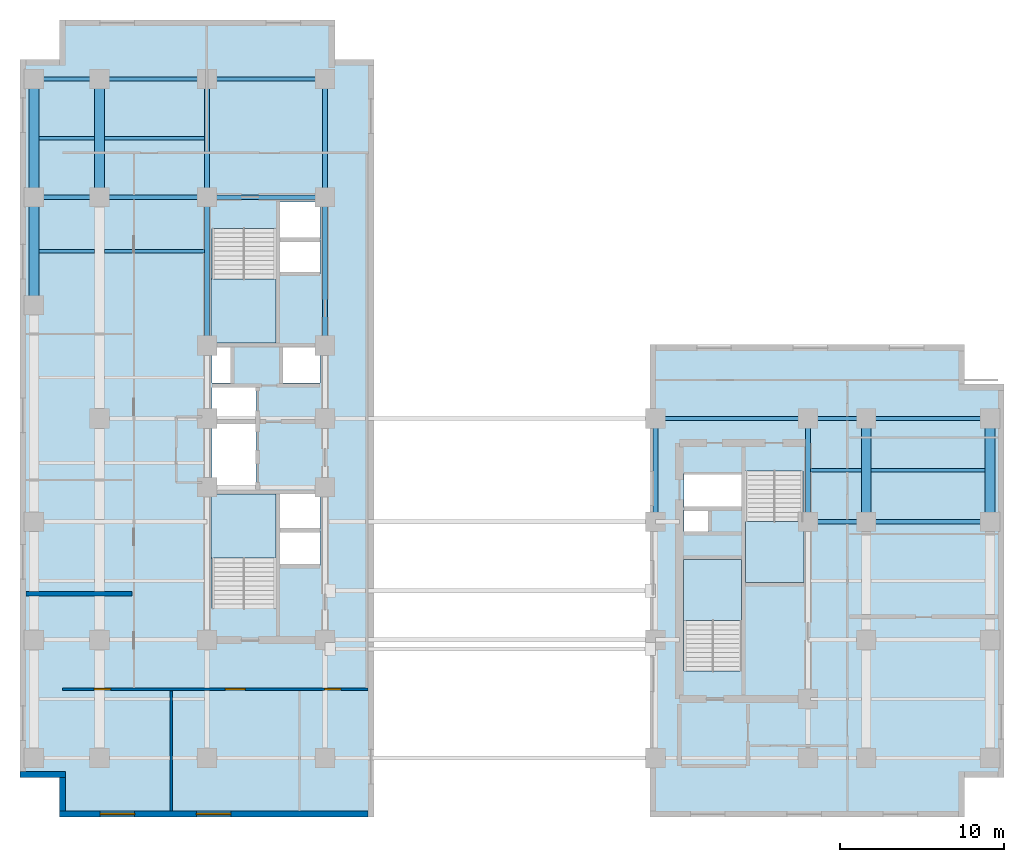
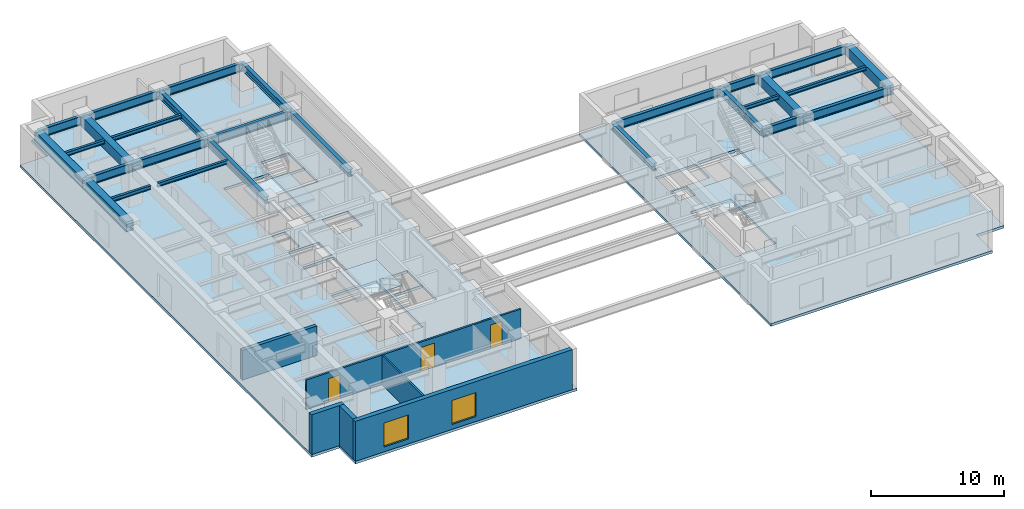
# One storey, part 2 of 8: 28 beams, 6 slabs, 6 walls, 3 doors, 2 windows, 5 openings, 4 elements without a shape of their own.
"""IFC4 building model written with IfcOpenShell, lengths in metres."""

from ifc_helpers import new_model, entity, si_unit, converted_unit, direction, frame, origin_with_axes, origin_2d_with_axis, place, context, subcontext, project, spatial, polyline, rectangle, i_section, outline, extrude, material, layer, layer_set, material_profile, profile_set, type_object, element, fill, aggregate, save


model = new_model("IFC4")

# Units and contexts
model_context = context("Model", 3, precision=1e-05, world=origin_with_axes(), true_north=direction((0.0, 1.0)))
body_context = subcontext(model_context, "Body", "Model", "MODEL_VIEW")
ifc_project = project(units=[si_unit("LENGTHUNIT", "METRE"), si_unit("AREAUNIT", "SQUARE_METRE"), si_unit("VOLUMEUNIT", "CUBIC_METRE"), converted_unit("PLANEANGLEUNIT", "DEGREE", entity("IfcPlaneAngleMeasure", 0.017453292519943295), si_unit("PLANEANGLEUNIT", "RADIAN"), dimensions=[0, 0, 0, 0, 0, 0, 0]), si_unit("MASSUNIT", "GRAM", prefix="KILO"), si_unit("THERMODYNAMICTEMPERATUREUNIT", "KELVIN")], contexts=[model_context])

# Site, building, storey
site_placement = place(None, origin_with_axes())
site = spatial("IfcSite", under=ifc_project, at=site_placement, CompositionType="ELEMENT")
building_placement = place(site_placement, origin_with_axes())
building = spatial("IfcBuilding", under=site, at=building_placement, Name="Varnlund Millrace Tower", CompositionType="ELEMENT")
storey_placement = place(building_placement, frame((0.0, 0.0, 100.8), z_axis=(0.0, 0.0, 1.0), x_axis=(1.0, 0.0, 0.0)))
storey = spatial("IfcBuildingStorey", under=building, at=storey_placement, Name="L24", CompositionType="ELEMENT", Elevation=100.8)

# Beams
ifc_material_1 = material(Name="Steel ASTM A992 Grade 50", Category="steel")
ifc_material_profile_1 = material_profile(ifc_material_1, i_section(OverallWidth=0.328, OverallDepth=0.628, WebThickness=0.0165, FlangeThickness=0.0277, FilletRadius=0.018, at=origin_2d_with_axis()), Name="Steel ASTM A992 Grade 50")
ifc_profile_set_1 = profile_set([ifc_material_profile_1], Name="Steel ASTM A992 Grade 50")
beam_type_1 = type_object("IfcBeamType", Name="Type-Girder-W24X146", PredefinedType="USERDEFINED", material=ifc_profile_set_1)
beam_1_placement = place(storey_placement, frame((11.4, 28.75, 3.346), z_axis=(0.0, 1.0, 0.0), x_axis=(-1.0, 0.0, 0.0)))
element("IfcBeam", 1, at=beam_1_placement, inside=storey, type_object=beam_type_1, Name="Type-Girder-W24X146", ObjectType="GIRDER", PredefinedType="USERDEFINED", context=body_context, shape_type="SweptSolid", body=[
    extrude(i_section(OverallWidth=0.328, OverallDepth=0.628, WebThickness=0.0165, FlangeThickness=0.0277, FilletRadius=0.018, at=origin_2d_with_axis()), origin_with_axes(), (0.0, 0.0, 1.0), 9.05),
])
beam_2_placement = place(storey_placement, frame((11.4, 37.8, 3.346), z_axis=(0.0, 1.0, 0.0), x_axis=(-1.0, 0.0, 0.0)))
element("IfcBeam", 2, at=beam_2_placement, inside=storey, type_object=beam_type_1, Name="Type-Girder-W24X146", ObjectType="GIRDER", PredefinedType="USERDEFINED", context=body_context, shape_type="SweptSolid", body=[
    extrude(i_section(OverallWidth=0.328, OverallDepth=0.628, WebThickness=0.0165, FlangeThickness=0.0277, FilletRadius=0.018, at=origin_2d_with_axis()), origin_with_axes(), (0.0, 0.0, 1.0), 7.2),
])
beam_3_placement = place(storey_placement, frame((18.6, 28.75, 3.346), z_axis=(0.0, 1.0, 0.0), x_axis=(-1.0, 0.0, 0.0)))
element("IfcBeam", 3, at=beam_3_placement, inside=storey, type_object=beam_type_1, Name="Type-Girder-W24X146", ObjectType="GIRDER", PredefinedType="USERDEFINED", context=body_context, shape_type="SweptSolid", body=[
    extrude(i_section(OverallWidth=0.328, OverallDepth=0.628, WebThickness=0.0165, FlangeThickness=0.0277, FilletRadius=0.018, at=origin_2d_with_axis()), origin_with_axes(), (0.0, 0.0, 1.0), 9.05),
])
beam_4_placement = place(storey_placement, frame((18.6, 37.8, 3.346), z_axis=(0.0, 1.0, 0.0), x_axis=(-1.0, 0.0, 0.0)))
element("IfcBeam", 4, at=beam_4_placement, inside=storey, type_object=beam_type_1, Name="Type-Girder-W24X146", ObjectType="GIRDER", PredefinedType="USERDEFINED", context=body_context, shape_type="SweptSolid", body=[
    extrude(i_section(OverallWidth=0.328, OverallDepth=0.628, WebThickness=0.0165, FlangeThickness=0.0277, FilletRadius=0.018, at=origin_2d_with_axis()), origin_with_axes(), (0.0, 0.0, 1.0), 7.2),
])
for number, where, z_axis, x_axis, name in (
    (5, (38.75, 18.0, 3.346), (0.0, 1.0, 0.0), (-1.0, 0.0, 0.0), "Type-Girder-W24X146"),
    (6, (48.05, 18.0, 3.346), (0.0, 1.0, 0.0), (-1.0, 0.0, 0.0), "Type-Girder-W24X146"),
):
    element("IfcBeam", number, at=place(storey_placement, frame(where, z_axis=z_axis, x_axis=x_axis)), inside=storey, type_object=beam_type_1, Name=name, ObjectType="GIRDER", PredefinedType="USERDEFINED", context=body_context, shape_type="SweptSolid", body=[
        extrude(i_section(OverallWidth=0.328, OverallDepth=0.628, WebThickness=0.0165, FlangeThickness=0.0277, FilletRadius=0.018, at=origin_2d_with_axis()), origin_with_axes(), (0.0, 0.0, 1.0), 6.3),
    ])
ifc_material_profile_2 = material_profile(ifc_material_1, i_section(OverallWidth=0.266, OverallDepth=0.779, WebThickness=0.0165, FlangeThickness=0.03, FilletRadius=0.02, at=origin_2d_with_axis()), Name="Steel ASTM A992 Grade 50")
ifc_profile_set_2 = profile_set([ifc_material_profile_2], Name="Steel ASTM A992 Grade 50")
beam_type_2 = type_object("IfcBeamType", Name="Type-Girder-W30X148", PredefinedType="USERDEFINED", material=ifc_profile_set_2)
beam_5_placement = place(storey_placement, frame((48.05, 18.0, 3.2705), z_axis=(1.0, 0.0, 0.0), x_axis=(0.0, 1.0, 0.0)))
element("IfcBeam", 7, at=beam_5_placement, inside=storey, type_object=beam_type_2, Name="Type-Girder-W30X148", ObjectType="GIRDER", PredefinedType="USERDEFINED", context=body_context, shape_type="SweptSolid", body=[
    extrude(i_section(OverallWidth=0.266, OverallDepth=0.779, WebThickness=0.0165, FlangeThickness=0.03, FilletRadius=0.02, at=origin_2d_with_axis()), origin_with_axes(), (0.0, 0.0, 1.0), 3.55),
])
beam_6_placement = place(storey_placement, frame((51.6, 18.0, 3.2705), z_axis=(1.0, 0.0, 0.0), x_axis=(0.0, 1.0, 0.0)))
element("IfcBeam", 8, at=beam_6_placement, inside=storey, type_object=beam_type_2, Name="Type-Girder-W30X148", ObjectType="GIRDER", PredefinedType="USERDEFINED", context=body_context, shape_type="SweptSolid", body=[
    extrude(i_section(OverallWidth=0.266, OverallDepth=0.779, WebThickness=0.0165, FlangeThickness=0.03, FilletRadius=0.02, at=origin_2d_with_axis()), origin_with_axes(), (0.0, 0.0, 1.0), 7.55),
])
beam_7_placement = place(storey_placement, frame((38.75, 24.3, 3.2705), z_axis=(1.0, 0.0, 0.0), x_axis=(0.0, 1.0, 0.0)))
element("IfcBeam", 9, at=beam_7_placement, inside=storey, type_object=beam_type_2, Name="Type-Girder-W30X148", ObjectType="GIRDER", PredefinedType="USERDEFINED", context=body_context, shape_type="SweptSolid", body=[
    extrude(i_section(OverallWidth=0.266, OverallDepth=0.779, WebThickness=0.0165, FlangeThickness=0.03, FilletRadius=0.02, at=origin_2d_with_axis()), origin_with_axes(), (0.0, 0.0, 1.0), 9.3),
])
beam_8_placement = place(storey_placement, frame((48.05, 24.3, 3.2705), z_axis=(1.0, 0.0, 0.0), x_axis=(0.0, 1.0, 0.0)))
element("IfcBeam", 10, at=beam_8_placement, inside=storey, type_object=beam_type_2, Name="Type-Girder-W30X148", ObjectType="GIRDER", PredefinedType="USERDEFINED", context=body_context, shape_type="SweptSolid", body=[
    extrude(i_section(OverallWidth=0.266, OverallDepth=0.779, WebThickness=0.0165, FlangeThickness=0.03, FilletRadius=0.02, at=origin_2d_with_axis()), origin_with_axes(), (0.0, 0.0, 1.0), 3.55),
])
beam_9_placement = place(storey_placement, frame((51.6, 24.3, 3.2705), z_axis=(1.0, 0.0, 0.0), x_axis=(0.0, 1.0, 0.0)))
element("IfcBeam", 11, at=beam_9_placement, inside=storey, type_object=beam_type_2, Name="Type-Girder-W30X148", ObjectType="GIRDER", PredefinedType="USERDEFINED", context=body_context, shape_type="SweptSolid", body=[
    extrude(i_section(OverallWidth=0.266, OverallDepth=0.779, WebThickness=0.0165, FlangeThickness=0.03, FilletRadius=0.02, at=origin_2d_with_axis()), origin_with_axes(), (0.0, 0.0, 1.0), 7.55),
])
beam_10_placement = place(storey_placement, frame((0.85, 37.8, 3.2705), z_axis=(1.0, 0.0, 0.0), x_axis=(0.0, 1.0, 0.0)))
element("IfcBeam", 12, at=beam_10_placement, inside=storey, type_object=beam_type_2, Name="Type-Girder-W30X148", ObjectType="GIRDER", PredefinedType="USERDEFINED", context=body_context, shape_type="SweptSolid", body=[
    extrude(i_section(OverallWidth=0.266, OverallDepth=0.779, WebThickness=0.0165, FlangeThickness=0.03, FilletRadius=0.02, at=origin_2d_with_axis()), origin_with_axes(), (0.0, 0.0, 1.0), 4.0),
])
beam_11_placement = place(storey_placement, frame((4.85, 37.8, 3.2705), z_axis=(1.0, 0.0, 0.0), x_axis=(0.0, 1.0, 0.0)))
element("IfcBeam", 13, at=beam_11_placement, inside=storey, type_object=beam_type_2, Name="Type-Girder-W30X148", ObjectType="GIRDER", PredefinedType="USERDEFINED", context=body_context, shape_type="SweptSolid", body=[
    extrude(i_section(OverallWidth=0.266, OverallDepth=0.779, WebThickness=0.0165, FlangeThickness=0.03, FilletRadius=0.02, at=origin_2d_with_axis()), origin_with_axes(), (0.0, 0.0, 1.0), 6.55),
])
beam_12_placement = place(storey_placement, frame((11.4, 37.8, 3.2705), z_axis=(1.0, 0.0, 0.0), x_axis=(0.0, 1.0, 0.0)))
element("IfcBeam", 14, at=beam_12_placement, inside=storey, type_object=beam_type_2, Name="Type-Girder-W30X148", ObjectType="GIRDER", PredefinedType="USERDEFINED", context=body_context, shape_type="SweptSolid", body=[
    extrude(i_section(OverallWidth=0.266, OverallDepth=0.779, WebThickness=0.0165, FlangeThickness=0.03, FilletRadius=0.02, at=origin_2d_with_axis()), origin_with_axes(), (0.0, 0.0, 1.0), 7.2),
])
beam_13_placement = place(storey_placement, frame((0.85, 45.0, 3.2705), z_axis=(1.0, 0.0, 0.0), x_axis=(0.0, 1.0, 0.0)))
element("IfcBeam", 15, at=beam_13_placement, inside=storey, type_object=beam_type_2, Name="Type-Girder-W30X148", ObjectType="GIRDER", PredefinedType="USERDEFINED", context=body_context, shape_type="SweptSolid", body=[
    extrude(i_section(OverallWidth=0.266, OverallDepth=0.779, WebThickness=0.0165, FlangeThickness=0.03, FilletRadius=0.02, at=origin_2d_with_axis()), origin_with_axes(), (0.0, 0.0, 1.0), 4.0),
])
beam_14_placement = place(storey_placement, frame((4.85, 45.0, 3.2705), z_axis=(1.0, 0.0, 0.0), x_axis=(0.0, 1.0, 0.0)))
element("IfcBeam", 16, at=beam_14_placement, inside=storey, type_object=beam_type_2, Name="Type-Girder-W30X148", ObjectType="GIRDER", PredefinedType="USERDEFINED", context=body_context, shape_type="SweptSolid", body=[
    extrude(i_section(OverallWidth=0.266, OverallDepth=0.779, WebThickness=0.0165, FlangeThickness=0.03, FilletRadius=0.02, at=origin_2d_with_axis()), origin_with_axes(), (0.0, 0.0, 1.0), 6.55),
])
beam_15_placement = place(storey_placement, frame((11.4, 45.0, 3.2705), z_axis=(1.0, 0.0, 0.0), x_axis=(0.0, 1.0, 0.0)))
element("IfcBeam", 17, at=beam_15_placement, inside=storey, type_object=beam_type_2, Name="Type-Girder-W30X148", ObjectType="GIRDER", PredefinedType="USERDEFINED", context=body_context, shape_type="SweptSolid", body=[
    extrude(i_section(OverallWidth=0.266, OverallDepth=0.779, WebThickness=0.0165, FlangeThickness=0.03, FilletRadius=0.02, at=origin_2d_with_axis()), origin_with_axes(), (0.0, 0.0, 1.0), 7.2),
])
ifc_material_profile_3 = material_profile(ifc_material_1, i_section(OverallWidth=0.204, OverallDepth=0.35, WebThickness=0.0086, FlangeThickness=0.0151, FilletRadius=0.013, at=origin_2d_with_axis()), Name="Steel ASTM A992 Grade 50")
ifc_profile_set_3 = profile_set([ifc_material_profile_3], Name="Steel ASTM A992 Grade 50")
beam_type_3 = type_object("IfcBeamType", Name="Type-Joist-W14X48", PredefinedType="JOIST", material=ifc_profile_set_3)
for number, where, z_axis, x_axis, name in (
    (18, (1.15, 34.5, 3.485), (1.0, 0.0, 0.0), (0.0, 1.0, 0.0), "Type-Joist-W14X48"),
    (19, (1.15, 41.4, 3.485), (1.0, 0.0, 0.0), (0.0, 1.0, 0.0), "Type-Joist-W14X48"),
):
    element("IfcBeam", number, at=place(storey_placement, frame(where, z_axis=z_axis, x_axis=x_axis)), inside=storey, type_object=beam_type_3, Name=name, PredefinedType="JOIST", context=body_context, shape_type="SweptSolid", body=[
        extrude(i_section(OverallWidth=0.204, OverallDepth=0.35, WebThickness=0.0086, FlangeThickness=0.0151, FilletRadius=0.013, at=origin_2d_with_axis()), origin_with_axes(), (0.0, 0.0, 1.0), 3.4),
    ])
for number, where, z_axis, x_axis, name in (
    (20, (5.15, 34.5, 3.485), (1.0, 0.0, 0.0), (0.0, 1.0, 0.0), "Type-Joist-W14X48"),
    (21, (5.15, 41.4, 3.485), (1.0, 0.0, 0.0), (0.0, 1.0, 0.0), "Type-Joist-W14X48"),
):
    element("IfcBeam", number, at=place(storey_placement, frame(where, z_axis=z_axis, x_axis=x_axis)), inside=storey, type_object=beam_type_3, Name=name, PredefinedType="JOIST", context=body_context, shape_type="SweptSolid", body=[
        extrude(i_section(OverallWidth=0.204, OverallDepth=0.35, WebThickness=0.0086, FlangeThickness=0.0151, FilletRadius=0.013, at=origin_2d_with_axis()), origin_with_axes(), (0.0, 0.0, 1.0), 6.086),
    ])
beam_16_placement = place(storey_placement, frame((48.214, 21.15, 3.485), z_axis=(1.0, 0.0, 0.0), x_axis=(0.0, 1.0, 0.0)))
element("IfcBeam", 22, at=beam_16_placement, inside=storey, type_object=beam_type_3, Name="Type-Joist-W14X48", PredefinedType="JOIST", context=body_context, shape_type="SweptSolid", body=[
    extrude(i_section(OverallWidth=0.204, OverallDepth=0.35, WebThickness=0.0086, FlangeThickness=0.0151, FilletRadius=0.013, at=origin_2d_with_axis()), origin_with_axes(), (0.0, 0.0, 1.0), 3.086),
])
beam_17_placement = place(storey_placement, frame((51.9, 21.15, 3.485), z_axis=(1.0, 0.0, 0.0), x_axis=(0.0, 1.0, 0.0)))
element("IfcBeam", 23, at=beam_17_placement, inside=storey, type_object=beam_type_3, Name="Type-Joist-W14X48", PredefinedType="JOIST", context=body_context, shape_type="SweptSolid", body=[
    extrude(i_section(OverallWidth=0.204, OverallDepth=0.35, WebThickness=0.0086, FlangeThickness=0.0151, FilletRadius=0.013, at=origin_2d_with_axis()), origin_with_axes(), (0.0, 0.0, 1.0), 6.95),
])
ifc_material_2 = material(Name="Concrete C70/85", Category="concrete")
ifc_material_profile_4 = material_profile(ifc_material_2, rectangle(XDim=0.6, YDim=0.9, at=origin_2d_with_axis()), Name="Concrete C70/85")
ifc_profile_set_4 = profile_set([ifc_material_profile_4], Name="Concrete C70/85")
beam_type_4 = type_object("IfcBeamType", Name="Type-Spandrel-RC600X900", PredefinedType="SPANDREL", material=ifc_profile_set_4)
beam_18_placement = place(storey_placement, frame((0.85, 31.2, 3.21), z_axis=(0.0, 1.0, 0.0), x_axis=(-1.0, 0.0, 0.0)))
element("IfcBeam", 24, at=beam_18_placement, inside=storey, type_object=beam_type_4, Name="Type-Spandrel-RC600X900", PredefinedType="SPANDREL", context=body_context, shape_type="SweptSolid", body=[
    extrude(rectangle(XDim=0.6, YDim=0.9, at=origin_2d_with_axis()), origin_with_axes(), (0.0, 0.0, 1.0), 6.6),
])
for number, where, z_axis, x_axis, name in (
    (25, (0.85, 37.8, 3.21), (0.0, 1.0, 0.0), (-1.0, 0.0, 0.0), "Type-Spandrel-RC600X900"),
    (26, (4.85, 37.8, 3.21), (0.0, 1.0, 0.0), (-1.0, 0.0, 0.0), "Type-Spandrel-RC600X900"),
):
    element("IfcBeam", number, at=place(storey_placement, frame(where, z_axis=z_axis, x_axis=x_axis)), inside=storey, type_object=beam_type_4, Name=name, PredefinedType="SPANDREL", context=body_context, shape_type="SweptSolid", body=[
        extrude(rectangle(XDim=0.6, YDim=0.9, at=origin_2d_with_axis()), origin_with_axes(), (0.0, 0.0, 1.0), 7.2),
    ])
for number, where, z_axis, x_axis, name in (
    (27, (51.6, 18.0, 3.21), (0.0, 1.0, 0.0), (-1.0, 0.0, 0.0), "Type-Spandrel-RC600X900"),
    (28, (59.15, 18.0, 3.21), (0.0, 1.0, 0.0), (-1.0, 0.0, 0.0), "Type-Spandrel-RC600X900"),
):
    element("IfcBeam", number, at=place(storey_placement, frame(where, z_axis=z_axis, x_axis=x_axis)), inside=storey, type_object=beam_type_4, Name=name, PredefinedType="SPANDREL", context=body_context, shape_type="SweptSolid", body=[
        extrude(rectangle(XDim=0.6, YDim=0.9, at=origin_2d_with_axis()), origin_with_axes(), (0.0, 0.0, 1.0), 6.3),
    ])

# Slabs
ifc_material_3 = material(Name="Concrete C60/75", Category="concrete")
ifc_layer_1 = layer(ifc_material_3, 0.24, Name="Concrete C60/75")
ifc_layer_set_1 = layer_set([ifc_layer_1], Name="Concrete C60/75")
slab_type_1 = type_object("IfcSlabType", Name="Type-Deck-Plate-Typical-240", PredefinedType="FLOOR", material=ifc_layer_set_1)
slab_1_placement = place(storey_placement, frame((0.0, 0.0, -0.24), z_axis=(0.0, 0.0, 1.0), x_axis=(1.0, 0.0, 0.0)))
element("IfcSlab", 29, at=slab_1_placement, inside=storey, type_object=slab_type_1, Name="Type-Deck-Plate-Typical-240", PredefinedType="FLOOR", context=body_context, shape_type="SweptSolid", body=[
    extrude(outline(polyline([(2.4, 2.4), (2.4, 0.0), (21.6, 0.0), (21.6, 46.2), (19.2, 46.2), (19.2, 48.6), (2.4, 48.6), (2.4, 46.2), (0.0, 46.2), (0.0, 2.4), (2.4, 2.4)]), holes=[polyline([(15.6, 19.7), (15.6, 12.715), (11.7, 12.715), (11.7, 19.7), (15.6, 19.7)]), polyline([(11.7, 23.98), (14.38, 23.98), (14.38, 19.94), (11.7, 19.94), (11.7, 23.98)]), polyline([(14.38, 24.24), (11.7, 24.24), (11.7, 26.2), (14.38, 26.2), (14.38, 24.24)]), polyline([(12.84, 26.46), (11.7, 26.46), (11.7, 28.65), (12.84, 28.65), (12.84, 26.46)]), polyline([(15.6, 35.885), (15.6, 28.9), (11.7, 28.9), (11.7, 35.885), (15.6, 35.885)]), polyline([(18.3, 15.34), (15.84, 15.34), (15.84, 17.46), (18.3, 17.46), (18.3, 15.34)]), polyline([(18.3, 17.52), (15.84, 17.52), (15.84, 19.7), (18.3, 19.7), (18.3, 17.52)]), polyline([(18.3, 28.65), (18.3, 26.46), (16.04, 26.46), (16.04, 28.65), (18.3, 28.65)]), polyline([(18.3, 33.12), (15.84, 33.12), (15.84, 35.18), (18.3, 35.18), (18.3, 33.12)]), polyline([(18.3, 35.22), (15.84, 35.22), (15.84, 37.5), (18.3, 37.5), (18.3, 35.22)])]), origin_with_axes(), (0.0, 0.0, 1.0), 0.24),
])
slab_2_placement = place(storey_placement, frame((0.0, 0.0, -0.24), z_axis=(0.0, 0.0, 1.0), x_axis=(1.0, 0.0, 0.0)))
element("IfcSlab", 30, at=slab_2_placement, inside=storey, type_object=slab_type_1, Name="Type-Deck-Plate-Typical-240", PredefinedType="FLOOR", context=body_context, shape_type="SweptSolid", body=[
    extrude(outline(polyline([(38.4, 0.0), (57.6, 0.0), (57.6, 2.4), (60.0, 2.4), (60.0, 26.4), (57.6, 26.4), (57.6, 28.8), (38.4, 28.8), (38.4, 0.0)]), holes=[polyline([(40.5, 15.7), (44.0, 15.7), (44.0, 8.915), (40.5, 8.915), (40.5, 15.7)]), polyline([(44.25, 21.085), (47.75, 21.085), (47.75, 14.3), (44.25, 14.3), (44.25, 21.085)]), polyline([(40.5, 18.72), (41.95, 18.72), (41.95, 17.42), (40.5, 17.42), (40.5, 18.72)]), polyline([(40.5, 20.94), (44.0, 20.94), (44.0, 18.88), (40.5, 18.88), (40.5, 20.94)])]), origin_with_axes(), (0.0, 0.0, 1.0), 0.24),
])

# Stair, slab
ifc_material_4 = material(Name="Concrete C50/60", Category="concrete")
stair_type_1 = type_object("IfcStairType", Name="Type-Stair-Dogleg-185-390", PredefinedType="HALF_TURN_STAIR", material=ifc_material_4)
stair_1_placement = place(storey_placement, origin_with_axes())
stair_1 = element("IfcStair", 31, at=stair_1_placement, inside=storey, type_object=stair_type_1, Name="Type-Stair-Dogleg-185-390", PredefinedType="HALF_TURN_STAIR")
ifc_layer_2 = layer(ifc_material_4, 0.2, Name="Concrete C50/60")
ifc_layer_set_2 = layer_set([ifc_layer_2], Name="Concrete C50/60")
slab_type_2 = type_object("IfcSlabType", Name="Type-StairLanding-200", PredefinedType="LANDING", material=ifc_layer_set_2)
slab_3_placement = place(storey_placement, frame((0.0, 0.0, 1.75), z_axis=(0.0, 0.0, 1.0), x_axis=(1.0, 0.0, 0.0)))
slab_3 = element("IfcSlab", 32, at=slab_3_placement, type_object=slab_type_2, Name="ST-A1 landing 1", PredefinedType="LANDING", context=body_context, shape_type="SweptSolid", body=[
    extrude(outline(polyline([(15.6, 15.78), (15.6, 19.7), (11.65, 19.7), (11.65, 15.78), (15.6, 15.78)])), origin_with_axes(), (0.0, 0.0, 1.0), 0.2),
])
aggregate(stair_1, [slab_3])

stair_2_placement = place(storey_placement, origin_with_axes())
stair_2 = element("IfcStair", 33, at=stair_2_placement, inside=storey, type_object=stair_type_1, Name="Type-Stair-Dogleg-185-390", PredefinedType="HALF_TURN_STAIR")
slab_4_placement = place(storey_placement, frame((0.0, 0.0, 1.75), z_axis=(0.0, 0.0, 1.0), x_axis=(1.0, 0.0, 0.0)))
slab_4 = element("IfcSlab", 34, at=slab_4_placement, type_object=slab_type_2, Name="ST-A2 landing 1", PredefinedType="LANDING", context=body_context, shape_type="SweptSolid", body=[
    extrude(outline(polyline([(11.65, 32.82), (11.65, 28.9), (15.6, 28.9), (15.6, 32.82), (11.65, 32.82)])), origin_with_axes(), (0.0, 0.0, 1.0), 0.2),
])
aggregate(stair_2, [slab_4])

stair_type_2 = type_object("IfcStairType", Name="Type-Stair-Dogleg-165-390", PredefinedType="HALF_TURN_STAIR", material=ifc_material_4)
stair_3_placement = place(storey_placement, origin_with_axes())
stair_3 = element("IfcStair", 35, at=stair_3_placement, inside=storey, type_object=stair_type_2, Name="Type-Stair-Dogleg-165-390", PredefinedType="HALF_TURN_STAIR")
slab_5_placement = place(storey_placement, frame((0.0, 0.0, 1.75), z_axis=(0.0, 0.0, 1.0), x_axis=(1.0, 0.0, 0.0)))
slab_5 = element("IfcSlab", 36, at=slab_5_placement, type_object=slab_type_2, Name="ST-B1 landing 1", PredefinedType="LANDING", context=body_context, shape_type="SweptSolid", body=[
    extrude(outline(polyline([(44.0, 11.98), (44.0, 15.7), (40.45, 15.7), (40.45, 11.98), (44.0, 11.98)])), origin_with_axes(), (0.0, 0.0, 1.0), 0.2),
])
aggregate(stair_3, [slab_5])

stair_4_placement = place(storey_placement, origin_with_axes())
stair_4 = element("IfcStair", 37, at=stair_4_placement, inside=storey, type_object=stair_type_2, Name="Type-Stair-Dogleg-165-390", PredefinedType="HALF_TURN_STAIR")
slab_6_placement = place(storey_placement, frame((0.0, 0.0, 1.75), z_axis=(0.0, 0.0, 1.0), x_axis=(1.0, 0.0, 0.0)))
slab_6 = element("IfcSlab", 38, at=slab_6_placement, type_object=slab_type_2, Name="ST-B2 landing 1", PredefinedType="LANDING", context=body_context, shape_type="SweptSolid", body=[
    extrude(outline(polyline([(44.25, 18.02), (44.25, 14.3), (47.8, 14.3), (47.8, 18.02), (44.25, 18.02)])), origin_with_axes(), (0.0, 0.0, 1.0), 0.2),
])
aggregate(stair_4, [slab_6])

# Wall, openings, windows
ifc_material_5 = material(Name="Precast concrete C50/60", Category="concrete")
ifc_layer_3 = layer(ifc_material_5, 0.38, Name="Precast concrete C50/60")
ifc_layer_set_3 = layer_set([ifc_layer_3], Name="Precast concrete C50/60")
wall_type_1 = type_object("IfcWallType", Name="Type-ExtWall-Precast-Tube-380", PredefinedType="SOLIDWALL", material=ifc_layer_set_3)
wall_1_placement = place(storey_placement, frame((21.22, 0.19, 0.0), z_axis=(0.0, 0.0, 1.0), x_axis=(-1.0, 0.0, 0.0)))
wall_1 = element("IfcWall", 39, at=wall_1_placement, inside=storey, type_object=wall_type_1, Name="Type-ExtWall-Precast-Tube-380", PredefinedType="SOLIDWALL", context=body_context, shape_type="SweptSolid", body=[
    extrude(outline(polyline([(0.0, -0.19), (18.82, -0.19), (18.82, 0.19), (0.0, 0.19), (0.0, -0.19)])), origin_with_axes(), (0.0, 0.0, 1.0), 3.66),
])
opening_1_placement = place(wall_1_placement, frame((9.41, 0.0, 0.45), z_axis=(0.0, 0.0, 1.0), x_axis=(1.0, 0.0, 0.0)))
opening_1 = element("IfcOpeningElement", 40, at=opening_1_placement, cuts=wall_1, Name="Opening L24:WN-10", PredefinedType="OPENING", context=body_context, shape_type="SweptSolid", body=[
    extrude(rectangle(XDim=2.1, YDim=0.4, at=origin_2d_with_axis()), origin_with_axes(), (0.0, 0.0, 1.0), 2.2),
])
opening_2_placement = place(wall_1_placement, frame((15.283, 0.0, 0.45), z_axis=(0.0, 0.0, 1.0), x_axis=(1.0, 0.0, 0.0)))
opening_2 = element("IfcOpeningElement", 41, at=opening_2_placement, cuts=wall_1, Name="Opening L24:WN-11", PredefinedType="OPENING", context=body_context, shape_type="SweptSolid", body=[
    extrude(rectangle(XDim=2.1, YDim=0.4, at=origin_2d_with_axis()), origin_with_axes(), (0.0, 0.0, 1.0), 2.2),
])
ifc_material_6 = material(Name="Argon low-e triple glazing in thermally broken bronze frame", Category="glass")
window_type = type_object("IfcWindowType", Name="Type-Window-Punched-2100X2200", PartitioningType="SINGLE_PANEL", PredefinedType="WINDOW", material=ifc_material_6)
window_1_placement = place(wall_1_placement, frame((9.41, 0.0, 0.45), z_axis=(0.0, 0.0, 1.0), x_axis=(1.0, 0.0, 0.0)))
window_1 = element("IfcWindow", 42, at=window_1_placement, inside=storey, type_object=window_type, Name="Type-Window-Punched-2100X2200", OverallHeight=2.2, OverallWidth=2.1, PredefinedType="WINDOW", context=body_context, shape_type="SweptSolid", body=[
    extrude(rectangle(XDim=2.1, YDim=0.09, at=origin_2d_with_axis()), origin_with_axes(), (0.0, 0.0, 1.0), 2.2),
])
fill(opening_1, window_1)
window_2_placement = place(wall_1_placement, frame((15.283, 0.0, 0.45), z_axis=(0.0, 0.0, 1.0), x_axis=(1.0, 0.0, 0.0)))
window_2 = element("IfcWindow", 43, at=window_2_placement, inside=storey, type_object=window_type, Name="Type-Window-Punched-2100X2200", OverallHeight=2.2, OverallWidth=2.1, PredefinedType="WINDOW", context=body_context, shape_type="SweptSolid", body=[
    extrude(rectangle(XDim=2.1, YDim=0.09, at=origin_2d_with_axis()), origin_with_axes(), (0.0, 0.0, 1.0), 2.2),
])
fill(opening_2, window_2)

# Walls
wall_2_placement = place(storey_placement, frame((2.59, 0.38, 0.0), z_axis=(0.0, 0.0, 1.0), x_axis=(0.0, 1.0, 0.0)))
element("IfcWall", 44, at=wall_2_placement, inside=storey, type_object=wall_type_1, Name="Type-ExtWall-Precast-Tube-380", PredefinedType="SOLIDWALL", context=body_context, shape_type="SweptSolid", body=[
    extrude(outline(polyline([(0.0, -0.19), (2.02, -0.19), (2.02, 0.19), (0.0, 0.19), (0.0, -0.19)])), origin_with_axes(), (0.0, 0.0, 1.0), 3.66),
])
wall_3_placement = place(storey_placement, frame((2.78, 2.59, 0.0), z_axis=(0.0, 0.0, 1.0), x_axis=(-1.0, 0.0, 0.0)))
element("IfcWall", 45, at=wall_3_placement, inside=storey, type_object=wall_type_1, Name="Type-ExtWall-Precast-Tube-380", PredefinedType="SOLIDWALL", context=body_context, shape_type="SweptSolid", body=[
    extrude(outline(polyline([(0.0, -0.19), (2.78, -0.19), (2.78, 0.19), (0.0, 0.19), (0.0, -0.19)])), origin_with_axes(), (0.0, 0.0, 1.0), 3.66),
])
ifc_material_7 = material(Name="Double-stud STC-60 conference acoustic partition", Category="gypsum")
ifc_layer_4 = layer(ifc_material_7, 0.28, Name="Double-stud STC-60 conference acoustic partition")
ifc_layer_set_4 = layer_set([ifc_layer_4], Name="Double-stud STC-60 conference acoustic partition")
wall_type_2 = type_object("IfcWallType", Name="Type-Partition-Acoustic-280", PredefinedType="PARTITIONING", material=ifc_layer_set_4)
wall_4_placement = place(storey_placement, frame((0.375, 13.604, 0.0), z_axis=(0.0, 0.0, 1.0), x_axis=(1.0, 0.0, 0.0)))
element("IfcWall", 46, at=wall_4_placement, inside=storey, type_object=wall_type_2, Name="Type-Partition-Acoustic-280", PredefinedType="PARTITIONING", context=body_context, shape_type="SweptSolid", body=[
    extrude(outline(polyline([(0.0, -0.14), (6.455, -0.14), (6.455, 0.14), (0.0, 0.14), (0.0, -0.14)])), origin_with_axes(), (0.0, 0.0, 1.0), 2.7),
])

# Wall, openings, doors
ifc_material_8 = material(Name="Fire-rated gypsum board on cold-formed steel framing", Category="steel")
ifc_layer_5 = layer(ifc_material_8, 0.16, Name="Fire-rated gypsum board on cold-formed steel framing")
ifc_layer_set_5 = layer_set([ifc_layer_5], Name="Fire-rated gypsum board on cold-formed steel framing")
wall_type_3 = type_object("IfcWallType", Name="Type-Partition-Corridor-160", PredefinedType="PARTITIONING", material=ifc_layer_set_5)
wall_5_placement = place(storey_placement, frame((2.6, 7.8, 0.0), z_axis=(0.0, 0.0, 1.0), x_axis=(1.0, 0.0, 0.0)))
wall_5 = element("IfcWall", 47, at=wall_5_placement, inside=storey, type_object=wall_type_3, Name="Type-Partition-Corridor-160", PredefinedType="PARTITIONING", context=body_context, shape_type="SweptSolid", body=[
    extrude(outline(polyline([(0.0, -0.08), (18.625, -0.08), (18.625, 0.08), (0.0, 0.08), (0.0, -0.08)])), origin_with_axes(), (0.0, 0.0, 1.0), 2.7),
])
opening_3_placement = place(wall_5_placement, frame((2.42, 0.0, 0.0), z_axis=(0.0, 0.0, 1.0), x_axis=(1.0, 0.0, 0.0)))
opening_3 = element("IfcOpeningElement", 48, at=opening_3_placement, cuts=wall_5, Name="Opening L24:DR-WAS-01", PredefinedType="OPENING", context=body_context, shape_type="SweptSolid", body=[
    extrude(rectangle(XDim=1.0, YDim=0.18, at=origin_2d_with_axis()), origin_with_axes(), (0.0, 0.0, 1.0), 2.15),
])
opening_4_placement = place(wall_5_placement, frame((10.523, 0.0, 0.0), z_axis=(0.0, 0.0, 1.0), x_axis=(1.0, 0.0, 0.0)))
opening_4 = element("IfcOpeningElement", 49, at=opening_4_placement, cuts=wall_5, Name="Opening L24:DR-WAS-02", PredefinedType="OPENING", context=body_context, shape_type="SweptSolid", body=[
    extrude(rectangle(XDim=1.2, YDim=0.18, at=origin_2d_with_axis()), origin_with_axes(), (0.0, 0.0, 1.0), 2.2),
])
opening_5_placement = place(wall_5_placement, frame((16.468, 0.0, 0.0), z_axis=(0.0, 0.0, 1.0), x_axis=(1.0, 0.0, 0.0)))
opening_5 = element("IfcOpeningElement", 50, at=opening_5_placement, cuts=wall_5, Name="Opening L24:DR-WAS-03", PredefinedType="OPENING", context=body_context, shape_type="SweptSolid", body=[
    extrude(rectangle(XDim=1.0, YDim=0.18, at=origin_2d_with_axis()), origin_with_axes(), (0.0, 0.0, 1.0), 2.15),
])
ifc_material_9 = material(Name="Wide executive white oak acoustic door")
door_type_1 = type_object("IfcDoorType", Name="Type-IntDoor-Exec-1200X2200", OperationType="NOTDEFINED", PredefinedType="DOOR", material=ifc_material_9)
door_1_placement = place(wall_5_placement, frame((10.523, 0.0, 0.0), z_axis=(0.0, 0.0, 1.0), x_axis=(1.0, 0.0, 0.0)))
door_1 = element("IfcDoor", 51, at=door_1_placement, inside=storey, type_object=door_type_1, Name="Type-IntDoor-Exec-1200X2200", OperationType="SINGLE_SWING_RIGHT", OverallHeight=2.2, OverallWidth=1.2, PredefinedType="DOOR", context=body_context, shape_type="SweptSolid", body=[
    extrude(rectangle(XDim=1.2, YDim=0.09, at=origin_2d_with_axis()), origin_with_axes(), (0.0, 0.0, 1.0), 2.2),
])
fill(opening_4, door_1)
ifc_material_10 = material(Name="Solid-core white oak and bronze frame door")
door_type_2 = type_object("IfcDoorType", Name="Type-IntDoor-Office-1000X2150", OperationType="NOTDEFINED", PredefinedType="DOOR", material=ifc_material_10)
door_2_placement = place(wall_5_placement, frame((2.42, 0.0, 0.0), z_axis=(0.0, 0.0, 1.0), x_axis=(1.0, 0.0, 0.0)))
door_2 = element("IfcDoor", 52, at=door_2_placement, inside=storey, type_object=door_type_2, Name="Type-IntDoor-Office-1000X2150", OperationType="SINGLE_SWING_LEFT", OverallHeight=2.15, OverallWidth=1.0, PredefinedType="DOOR", context=body_context, shape_type="SweptSolid", body=[
    extrude(rectangle(XDim=1.0, YDim=0.09, at=origin_2d_with_axis()), origin_with_axes(), (0.0, 0.0, 1.0), 2.15),
])
fill(opening_3, door_2)
door_3_placement = place(wall_5_placement, frame((16.468, 0.0, 0.0), z_axis=(0.0, 0.0, 1.0), x_axis=(1.0, 0.0, 0.0)))
door_3 = element("IfcDoor", 53, at=door_3_placement, inside=storey, type_object=door_type_2, Name="Type-IntDoor-Office-1000X2150", OperationType="SINGLE_SWING_LEFT", OverallHeight=2.15, OverallWidth=1.0, PredefinedType="DOOR", context=body_context, shape_type="SweptSolid", body=[
    extrude(rectangle(XDim=1.0, YDim=0.09, at=origin_2d_with_axis()), origin_with_axes(), (0.0, 0.0, 1.0), 2.15),
])
fill(opening_5, door_3)

# Wall
ifc_material_11 = material(Name="Acoustic STC-50 gypsum board partition", Category="gypsum")
ifc_layer_6 = layer(ifc_material_11, 0.15, Name="Acoustic STC-50 gypsum board partition")
ifc_layer_set_6 = layer_set([ifc_layer_6], Name="Acoustic STC-50 gypsum board partition")
wall_type_4 = type_object("IfcWallType", Name="Type-Partition-Demising-150", PredefinedType="PARTITIONING", material=ifc_layer_set_6)
wall_6_placement = place(storey_placement, frame((9.21, 0.36, 0.0), z_axis=(0.0, 0.0, 1.0), x_axis=(0.0, 1.0, 0.0)))
element("IfcWall", 54, at=wall_6_placement, inside=storey, type_object=wall_type_4, Name="Type-Partition-Demising-150", PredefinedType="PARTITIONING", context=body_context, shape_type="SweptSolid", body=[
    extrude(outline(polyline([(0.0, -0.075), (7.34, -0.075), (7.34, 0.075), (0.0, 0.075), (0.0, -0.075)])), origin_with_axes(), (0.0, 0.0, 1.0), 2.7),
])

save(model, "model.ifc")
